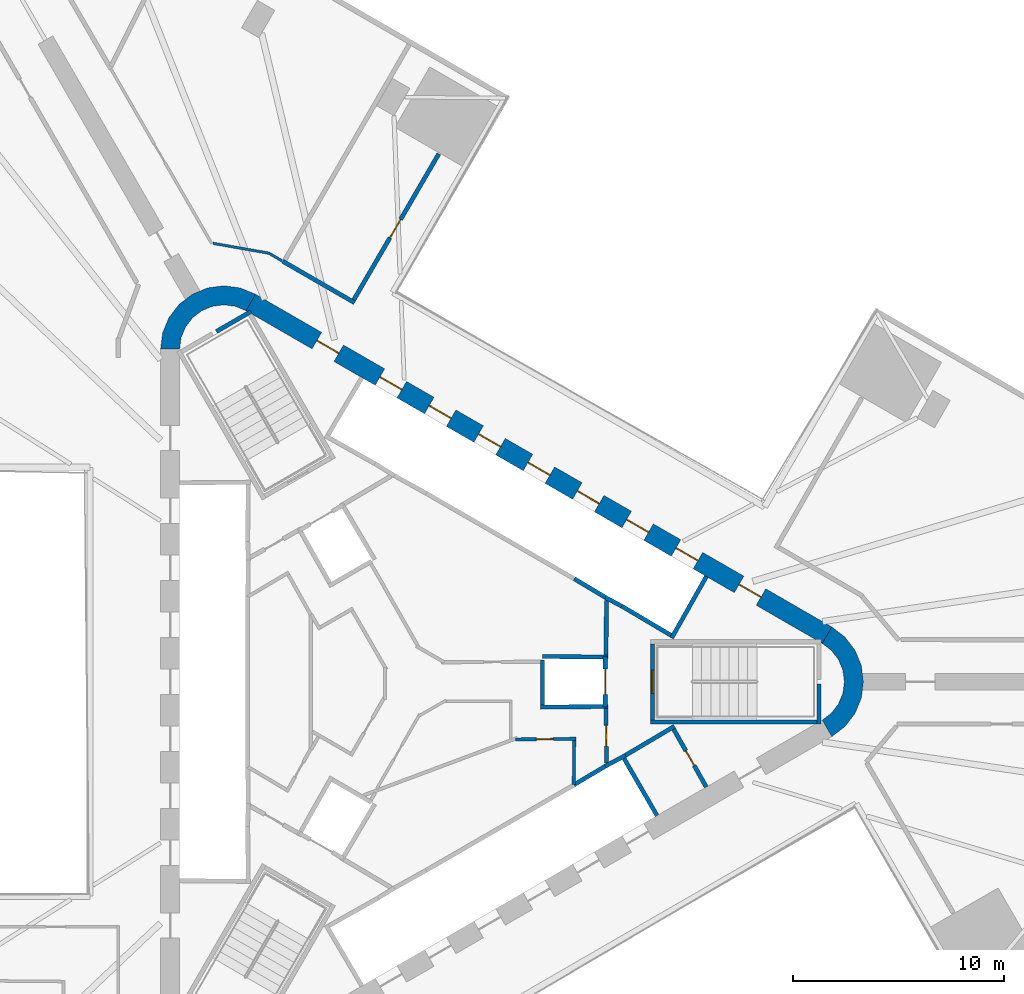
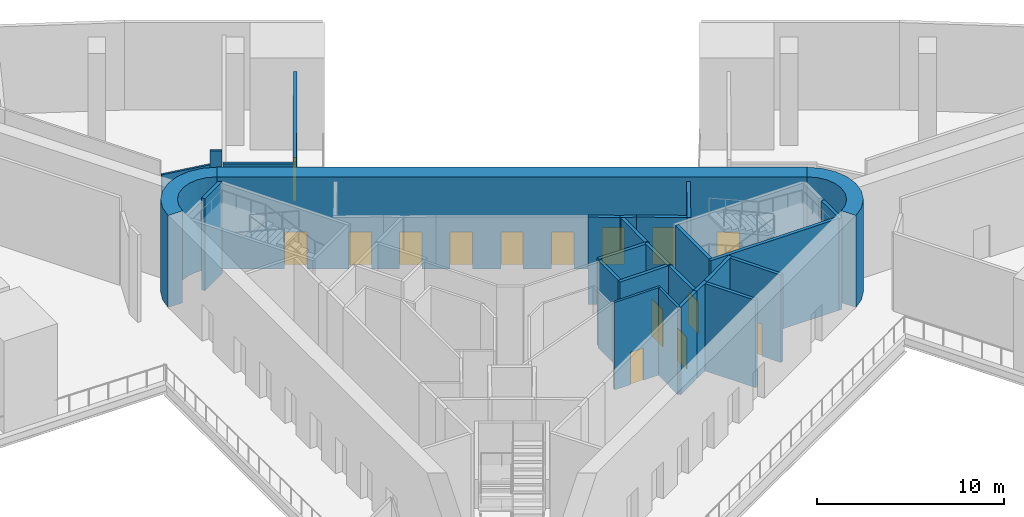
# One storey, part 6 of 11: 28 walls, 15 doors, 15 openings.
"""IFC4 building model written with IfcOpenShell, lengths in metres."""

from ifc_helpers import new_model, si_unit, direction, frame, frame_2d, origin, place, context, subcontext, project, spatial, polyline, rectangle, outline, extrude, material, layer, layer_set, type_object, element, fill, save


model = new_model("IFC4")

# Units and contexts
model_context = context("Model", 3, precision=1e-05, world=origin(), true_north=direction((0.0, 1.0)))
body_context = subcontext(model_context, "Body", "Model", "MODEL_VIEW")
ifc_project = project(units=[si_unit("LENGTHUNIT", "METRE"), si_unit("AREAUNIT", "SQUARE_METRE"), si_unit("VOLUMEUNIT", "CUBIC_METRE"), si_unit("PLANEANGLEUNIT", "RADIAN"), si_unit("MASSUNIT", "GRAM", prefix="KILO")], contexts=[model_context])

# Site, building, storey
site_placement = place(None, origin())
site = spatial("IfcSite", under=ifc_project, at=site_placement, CompositionType="ELEMENT")
building_placement = place(site_placement, origin())
building = spatial("IfcBuilding", under=site, at=building_placement, Name="Tanit Gate Tower", CompositionType="ELEMENT")
storey_placement = place(building_placement, frame((0.0, 0.0, 15.5)))
storey = spatial("IfcBuildingStorey", under=building, at=storey_placement, Name="L02", CompositionType="ELEMENT", Elevation=15.5)

# Wall, openings, doors
ifc_material_1 = material(Name="Concrete C60/75", Category="concrete")
ifc_layer_1 = layer(ifc_material_1, 0.89990234375)
ifc_layer_set_1 = layer_set([ifc_layer_1], Name="CORE WALL 900 C60/75")
wall_type_1 = type_object("IfcWallType", Name="CORE WALL 900 C60/75", PredefinedType="SHEAR", material=ifc_layer_set_1)
wall_1_placement = place(storey_placement, frame((19.47509765625, 2.20849609375, 0.0), z_axis=(0.0, 0.0, 1.0), x_axis=(-0.866028369851, 0.499994862586, 0.0)))
wall_1 = element("IfcWall", 1, at=wall_1_placement, inside=storey, type_object=wall_type_1, Name="CORE WALL", PredefinedType="SHEAR", context=body_context, shape_type="SweptSolid", body=[
    extrude(rectangle(XDim=31.523193359375, YDim=0.89990234375, at=frame_2d((15.76171875, 0.0))), origin(), (0.0, 0.0, 1.0), 6.0),
])
opening_1_placement = place(wall_1_placement, frame((7.0615234375, 0.0, 0.0)))
opening_1 = element("IfcOpeningElement", 2, at=opening_1_placement, cuts=wall_1, Name="Opening LDLL8-02", PredefinedType="OPENING", context=body_context, shape_type="SweptSolid", body=[
    extrude(rectangle(XDim=1.199951171875, YDim=2.39990234375, at=frame_2d((0.60009765625, 1.199951171875))), frame((0.0, 0.4599609375, 0.0), z_axis=(0.0, -1.0, 0.0), x_axis=(1.0, 0.0, 0.0)), (0.0, 0.0, 1.0), 0.919921875),
])
opening_2_placement = place(wall_1_placement, frame((9.76171875, 0.0, 0.0)))
opening_2 = element("IfcOpeningElement", 3, at=opening_2_placement, cuts=wall_1, Name="Opening LDLL9-02", PredefinedType="OPENING", context=body_context, shape_type="SweptSolid", body=[
    extrude(rectangle(XDim=1.199951171875, YDim=2.39990234375, at=frame_2d((0.60009765625, 1.199951171875))), frame((0.0, 0.4599609375, 0.0), z_axis=(0.0, -1.0, 0.0), x_axis=(1.0, 0.0, 0.0)), (0.0, 0.0, 1.0), 0.919921875),
])
opening_3_placement = place(wall_1_placement, frame((12.461669921875, 0.0, 0.0)))
opening_3 = element("IfcOpeningElement", 4, at=opening_3_placement, cuts=wall_1, Name="Opening LDLL10-02", PredefinedType="OPENING", context=body_context, shape_type="SweptSolid", body=[
    extrude(rectangle(XDim=1.199951171875, YDim=2.39990234375, at=frame_2d((0.60009765625, 1.199951171875))), frame((0.0, 0.4599609375, 0.0), z_axis=(0.0, -1.0, 0.0), x_axis=(1.0, 0.0, 0.0)), (0.0, 0.0, 1.0), 0.919921875),
])
opening_4_placement = place(wall_1_placement, frame((15.16162109375, 0.0, 0.0)))
opening_4 = element("IfcOpeningElement", 5, at=opening_4_placement, cuts=wall_1, Name="Opening LDSL1-02", PredefinedType="OPENING", context=body_context, shape_type="SweptSolid", body=[
    extrude(rectangle(XDim=1.199951171875, YDim=2.39990234375, at=frame_2d((0.60009765625, 1.199951171875))), frame((0.0, 0.4599609375, 0.0), z_axis=(0.0, -1.0, 0.0), x_axis=(1.0, 0.0, 0.0)), (0.0, 0.0, 1.0), 0.919921875),
])
opening_5_placement = place(wall_1_placement, frame((17.861572265625, 0.0, 0.0)))
opening_5 = element("IfcOpeningElement", 6, at=opening_5_placement, cuts=wall_1, Name="Opening LDSL2-02", PredefinedType="OPENING", context=body_context, shape_type="SweptSolid", body=[
    extrude(rectangle(XDim=1.199951171875, YDim=2.39990234375, at=frame_2d((0.60009765625, 1.199951171875))), frame((0.0, 0.4599609375, 0.0), z_axis=(0.0, -1.0, 0.0), x_axis=(1.0, 0.0, 0.0)), (0.0, 0.0, 1.0), 0.919921875),
])
opening_6_placement = place(wall_1_placement, frame((20.5615234375, 0.0, 0.0)))
opening_6 = element("IfcOpeningElement", 7, at=opening_6_placement, cuts=wall_1, Name="Opening LDSL3-02", PredefinedType="OPENING", context=body_context, shape_type="SweptSolid", body=[
    extrude(rectangle(XDim=1.199951171875, YDim=2.39990234375, at=frame_2d((0.60009765625, 1.199951171875))), frame((0.0, 0.4599609375, 0.0), z_axis=(0.0, -1.0, 0.0), x_axis=(1.0, 0.0, 0.0)), (0.0, 0.0, 1.0), 0.919921875),
])
opening_7_placement = place(wall_1_placement, frame((23.26171875, 0.0, 0.0)))
opening_7 = element("IfcOpeningElement", 8, at=opening_7_placement, cuts=wall_1, Name="Opening LDSL4-02", PredefinedType="OPENING", context=body_context, shape_type="SweptSolid", body=[
    extrude(rectangle(XDim=1.199951171875, YDim=2.39990234375, at=frame_2d((0.60009765625, 1.199951171875))), frame((0.0, 0.4599609375, 0.0), z_axis=(0.0, -1.0, 0.0), x_axis=(1.0, 0.0, 0.0)), (0.0, 0.0, 1.0), 0.919921875),
])
opening_8_placement = place(wall_1_placement, frame((3.611572265625, 0.0, 0.0)))
opening_8 = element("IfcOpeningElement", 9, at=opening_8_placement, cuts=wall_1, Name="Opening F12-02-FL1", PredefinedType="OPENING", context=body_context, shape_type="SweptSolid", body=[
    extrude(rectangle(XDim=1.199951171875, YDim=2.39990234375, at=frame_2d((0.60009765625, 1.199951171875))), frame((0.0, 0.4599609375, 0.0), z_axis=(0.0, -1.0, 0.0), x_axis=(1.0, 0.0, 0.0)), (0.0, 0.0, 1.0), 0.919921875),
])
opening_9_placement = place(wall_1_placement, frame((26.711669921875, 0.0, 0.0)))
opening_9 = element("IfcOpeningElement", 10, at=opening_9_placement, cuts=wall_1, Name="Opening F12-02-S2", PredefinedType="OPENING", context=body_context, shape_type="SweptSolid", body=[
    extrude(rectangle(XDim=1.199951171875, YDim=2.39990234375, at=frame_2d((0.60009765625, 1.199951171875))), frame((0.0, 0.4599609375, 0.0), z_axis=(0.0, -1.0, 0.0), x_axis=(1.0, 0.0, 0.0)), (0.0, 0.0, 1.0), 0.919921875),
])
ifc_material_2 = material(Name="Fire-rated steel door leaf", Category="steel")
door_type_1 = type_object("IfcDoorType", Name="INT-DOOR-FIRE-LOBBY-1200", OperationType="NOTDEFINED", PredefinedType="USERDEFINED", material=ifc_material_2)
door_1_placement = place(opening_8_placement, origin())
door_1 = element("IfcDoor", 11, at=door_1_placement, inside=storey, type_object=door_type_1, Name="Door F12-02-FL1", ObjectType="FIRE DOOR", OperationType="SINGLE_SWING_LEFT", OverallHeight=2.39990234375, OverallWidth=1.199951171875, PredefinedType="USERDEFINED", context=body_context, shape_type="SweptSolid", body=[
    extrude(rectangle(XDim=1.199951171875, YDim=2.39990234375, at=frame_2d((0.60009765625, 1.199951171875))), frame((0.0, 0.02490234375, 0.0), z_axis=(0.0, -1.0, 0.0), x_axis=(1.0, 0.0, 0.0)), (0.0, 0.0, 1.0), 0.050048828125),
])
fill(opening_8, door_1)
door_2_placement = place(opening_9_placement, origin())
door_2 = element("IfcDoor", 12, at=door_2_placement, inside=storey, type_object=door_type_1, Name="Door F12-02-S2", ObjectType="FIRE DOOR", OperationType="SINGLE_SWING_LEFT", OverallHeight=2.39990234375, OverallWidth=1.199951171875, PredefinedType="USERDEFINED", context=body_context, shape_type="SweptSolid", body=[
    extrude(rectangle(XDim=1.199951171875, YDim=2.39990234375, at=frame_2d((0.60009765625, 1.199951171875))), frame((0.0, 0.02490234375, 0.0), z_axis=(0.0, -1.0, 0.0), x_axis=(1.0, 0.0, 0.0)), (0.0, 0.0, 1.0), 0.050048828125),
])
fill(opening_9, door_2)
ifc_material_3 = material(Name="Stainless steel sliding door leaf", Category="steel")
door_type_2 = type_object("IfcDoorType", Name="INT-DOOR-LANDING-1200", OperationType="NOTDEFINED", PredefinedType="USERDEFINED", material=ifc_material_3)
door_3_placement = place(opening_1_placement, origin())
door_3 = element("IfcDoor", 13, at=door_3_placement, inside=storey, type_object=door_type_2, Name="Door LDLL8-02", ObjectType="LANDING DOOR", OperationType="SLIDING_TO_LEFT", OverallHeight=2.39990234375, OverallWidth=1.199951171875, PredefinedType="USERDEFINED", context=body_context, shape_type="SweptSolid", body=[
    extrude(rectangle(XDim=1.199951171875, YDim=2.39990234375, at=frame_2d((0.60009765625, 1.199951171875))), frame((0.0, 0.02490234375, 0.0), z_axis=(0.0, -1.0, 0.0), x_axis=(1.0, 0.0, 0.0)), (0.0, 0.0, 1.0), 0.050048828125),
])
fill(opening_1, door_3)
door_4_placement = place(opening_2_placement, origin())
door_4 = element("IfcDoor", 14, at=door_4_placement, inside=storey, type_object=door_type_2, Name="Door LDLL9-02", ObjectType="LANDING DOOR", OperationType="SLIDING_TO_LEFT", OverallHeight=2.39990234375, OverallWidth=1.199951171875, PredefinedType="USERDEFINED", context=body_context, shape_type="SweptSolid", body=[
    extrude(rectangle(XDim=1.199951171875, YDim=2.39990234375, at=frame_2d((0.60009765625, 1.199951171875))), frame((0.0, 0.02490234375, 0.0), z_axis=(0.0, -1.0, 0.0), x_axis=(1.0, 0.0, 0.0)), (0.0, 0.0, 1.0), 0.050048828125),
])
fill(opening_2, door_4)
door_5_placement = place(opening_3_placement, origin())
door_5 = element("IfcDoor", 15, at=door_5_placement, inside=storey, type_object=door_type_2, Name="Door LDLL10-02", ObjectType="LANDING DOOR", OperationType="SLIDING_TO_LEFT", OverallHeight=2.39990234375, OverallWidth=1.199951171875, PredefinedType="USERDEFINED", context=body_context, shape_type="SweptSolid", body=[
    extrude(rectangle(XDim=1.199951171875, YDim=2.39990234375, at=frame_2d((0.60009765625, 1.199951171875))), frame((0.0, 0.02490234375, 0.0), z_axis=(0.0, -1.0, 0.0), x_axis=(1.0, 0.0, 0.0)), (0.0, 0.0, 1.0), 0.050048828125),
])
fill(opening_3, door_5)
door_6_placement = place(opening_4_placement, origin())
door_6 = element("IfcDoor", 16, at=door_6_placement, inside=storey, type_object=door_type_2, Name="Door LDSL1-02", ObjectType="LANDING DOOR", OperationType="SLIDING_TO_LEFT", OverallHeight=2.39990234375, OverallWidth=1.199951171875, PredefinedType="USERDEFINED", context=body_context, shape_type="SweptSolid", body=[
    extrude(rectangle(XDim=1.199951171875, YDim=2.39990234375, at=frame_2d((0.60009765625, 1.199951171875))), frame((0.0, 0.02490234375, 0.0), z_axis=(0.0, -1.0, 0.0), x_axis=(1.0, 0.0, 0.0)), (0.0, 0.0, 1.0), 0.050048828125),
])
fill(opening_4, door_6)
door_7_placement = place(opening_5_placement, origin())
door_7 = element("IfcDoor", 17, at=door_7_placement, inside=storey, type_object=door_type_2, Name="Door LDSL2-02", ObjectType="LANDING DOOR", OperationType="SLIDING_TO_LEFT", OverallHeight=2.39990234375, OverallWidth=1.199951171875, PredefinedType="USERDEFINED", context=body_context, shape_type="SweptSolid", body=[
    extrude(rectangle(XDim=1.199951171875, YDim=2.39990234375, at=frame_2d((0.60009765625, 1.199951171875))), frame((0.0, 0.02490234375, 0.0), z_axis=(0.0, -1.0, 0.0), x_axis=(1.0, 0.0, 0.0)), (0.0, 0.0, 1.0), 0.050048828125),
])
fill(opening_5, door_7)
door_8_placement = place(opening_6_placement, origin())
door_8 = element("IfcDoor", 18, at=door_8_placement, inside=storey, type_object=door_type_2, Name="Door LDSL3-02", ObjectType="LANDING DOOR", OperationType="SLIDING_TO_LEFT", OverallHeight=2.39990234375, OverallWidth=1.199951171875, PredefinedType="USERDEFINED", context=body_context, shape_type="SweptSolid", body=[
    extrude(rectangle(XDim=1.199951171875, YDim=2.39990234375, at=frame_2d((0.60009765625, 1.199951171875))), frame((0.0, 0.02490234375, 0.0), z_axis=(0.0, -1.0, 0.0), x_axis=(1.0, 0.0, 0.0)), (0.0, 0.0, 1.0), 0.050048828125),
])
fill(opening_6, door_8)
door_9_placement = place(opening_7_placement, origin())
door_9 = element("IfcDoor", 19, at=door_9_placement, inside=storey, type_object=door_type_2, Name="Door LDSL4-02", ObjectType="LANDING DOOR", OperationType="SLIDING_TO_LEFT", OverallHeight=2.39990234375, OverallWidth=1.199951171875, PredefinedType="USERDEFINED", context=body_context, shape_type="SweptSolid", body=[
    extrude(rectangle(XDim=1.199951171875, YDim=2.39990234375, at=frame_2d((0.60009765625, 1.199951171875))), frame((0.0, 0.02490234375, 0.0), z_axis=(0.0, -1.0, 0.0), x_axis=(1.0, 0.0, 0.0)), (0.0, 0.0, 1.0), 0.050048828125),
])
fill(opening_7, door_9)

# Walls
wall_2_placement = place(storey_placement, origin())
element("IfcWall", 20, at=wall_2_placement, inside=storey, type_object=wall_type_1, Name="CORE WALL CORNER", PredefinedType="SHEAR", context=body_context, shape_type="SweptSolid", body=[
    extrude(outline(polyline([(-7.60009765625, 18.359619140625), (-8.323486328125, 18.659423828125), (-9.10009765625, 18.76171875), (-9.87646484375, 18.659423828125), (-10.60009765625, 18.359619140625), (-11.22119140625, 17.883056640625), (-11.697998046875, 17.26171875), (-11.997802734375, 16.5380859375), (-12.10009765625, 15.76171875), (-11.199951171875, 15.76171875), (-11.12841796875, 16.30517578125), (-10.918701171875, 16.811767578125), (-10.5849609375, 17.24658203125), (-10.14990234375, 17.580322265625), (-9.6435546875, 17.7900390625), (-9.10009765625, 17.86181640625), (-8.556396484375, 17.7900390625), (-8.050048828125, 17.580322265625), (-7.60009765625, 18.359619140625)])), origin(), (0.0, 0.0, 1.0), 6.0),
])
wall_3_placement = place(storey_placement, origin())
element("IfcWall", 21, at=wall_3_placement, inside=storey, type_object=wall_type_1, Name="CORE WALL CORNER", PredefinedType="SHEAR", context=body_context, shape_type="SweptSolid", body=[
    extrude(outline(polyline([(19.699951171875, -2.59814453125), (20.3212890625, -2.121337890625), (20.798095703125, -1.5), (21.097900390625, -0.776611328125), (21.199951171875, 0.0), (21.097900390625, 0.776611328125), (20.798095703125, 1.5), (20.3212890625, 2.121337890625), (19.699951171875, 2.59814453125), (19.25, 1.818603515625), (19.684814453125, 1.48486328125), (20.018798828125, 1.050048828125), (20.228515625, 0.54345703125), (20.300048828125, 0.0), (20.228515625, -0.54345703125), (20.018798828125, -1.050048828125), (19.684814453125, -1.48486328125), (19.25, -1.818603515625), (19.699951171875, -2.59814453125)])), origin(), (0.0, 0.0, 1.0), 6.0),
])
ifc_material_4 = material(Name="Fire-rated gypsum board partition")
ifc_layer_2 = layer(ifc_material_4, 0.199951171875)
ifc_layer_set_2 = layer_set([ifc_layer_2], Name="INT-WALL-COMPARTMENT")
wall_type_2 = type_object("IfcWallType", Name="INT-WALL-COMPARTMENT", PredefinedType="PARTITIONING", material=ifc_layer_set_2)
wall_4_placement = place(storey_placement, frame((12.244873046875, -2.10888671875, 0.0), z_axis=(0.0, 0.0, 1.0), x_axis=(-0.860414880418, -0.509594185166, 0.0)))
element("IfcWall", 22, at=wall_4_placement, inside=storey, type_object=wall_type_2, Name="Wall Compartment W060", PredefinedType="PARTITIONING", context=body_context, shape_type="SweptSolid", body=[
    extrude(rectangle(XDim=2.7001953125, YDim=0.199951171875, at=frame_2d((1.35009765625, 0.0))), origin(), (0.0, 0.0, 1.0), 5.699951171875),
])

# Wall, opening, door
wall_5_placement = place(storey_placement, frame((13.758056640625, -4.989501953125, 0.0), z_axis=(0.0, 0.0, 1.0), x_axis=(-0.491993409184, 0.87059892334, 0.0)))
wall_5 = element("IfcWall", 23, at=wall_5_placement, inside=storey, type_object=wall_type_2, Name="Wall Compartment W061", PredefinedType="PARTITIONING", context=body_context, shape_type="SweptSolid", body=[
    extrude(rectangle(XDim=3.150146484375, YDim=0.199951171875, at=frame_2d((1.5751953125, 0.0))), origin(), (0.0, 0.0, 1.0), 5.699951171875),
])
opening_10_placement = place(wall_5_placement, frame((1.175048828125, 0.0, 0.0)))
opening_10 = element("IfcOpeningElement", 24, at=opening_10_placement, cuts=wall_5, Name="Opening R08-02-15", PredefinedType="OPENING", context=body_context, shape_type="SweptSolid", body=[
    extrude(rectangle(XDim=0.800048828125, YDim=2.10009765625, at=frame_2d((0.39990234375, 1.050048828125))), frame((0.0, 0.10986328125, 0.0), z_axis=(0.0, -1.0, 0.0), x_axis=(1.0, 0.0, 0.0)), (0.0, 0.0, 1.0), 0.219970703125),
])
ifc_material_5 = material(Name="Timber door leaf", Category="wood")
door_type_3 = type_object("IfcDoorType", Name="INT-DOOR-RISER-800", OperationType="NOTDEFINED", PredefinedType="USERDEFINED", material=ifc_material_5)
door_10_placement = place(opening_10_placement, origin())
door_10 = element("IfcDoor", 25, at=door_10_placement, inside=storey, type_object=door_type_3, Name="Door R08-02-15", ObjectType="FIRE DOOR", OperationType="SINGLE_SWING_RIGHT", OverallHeight=2.10009765625, OverallWidth=0.800048828125, PredefinedType="USERDEFINED", context=body_context, shape_type="SweptSolid", body=[
    extrude(rectangle(XDim=0.800048828125, YDim=2.10009765625, at=frame_2d((0.39990234375, 1.050048828125))), frame((0.0, 0.02490234375, 0.0), z_axis=(0.0, -1.0, 0.0), x_axis=(1.0, 0.0, 0.0)), (0.0, 0.0, 1.0), 0.050048828125),
])
fill(opening_10, door_10)

# Wall
wall_6_placement = place(storey_placement, frame((9.0009765625, 1.27001953125, 0.0), z_axis=(0.0, 0.0, 1.0), x_axis=(0.010784614026, 0.999941844359, 0.0)))
element("IfcWall", 26, at=wall_6_placement, inside=storey, type_object=wall_type_2, Name="Wall Compartment W062", PredefinedType="PARTITIONING", context=body_context, shape_type="SweptSolid", body=[
    extrude(rectangle(XDim=2.580810546875, YDim=0.199951171875, at=frame_2d((1.29052734375, 0.0))), origin(), (0.0, 0.0, 1.0), 5.699951171875),
])

# Wall, opening, door
wall_7_placement = place(storey_placement, frame((9.02880859375, -3.850830078125, 0.0), z_axis=(0.0, 0.0, 1.0), x_axis=(-0.010783593937, 0.99994185536, 0.0)))
wall_7 = element("IfcWall", 27, at=wall_7_placement, inside=storey, type_object=wall_type_2, Name="Wall Compartment W063", PredefinedType="PARTITIONING", context=body_context, shape_type="SweptSolid", body=[
    extrude(rectangle(XDim=2.5810546875, YDim=0.199951171875, at=frame_2d((1.29052734375, 0.0))), origin(), (0.0, 0.0, 1.0), 5.699951171875),
])
opening_11_placement = place(wall_7_placement, frame((0.79052734375, 0.0, 0.0)))
opening_11 = element("IfcOpeningElement", 28, at=opening_11_placement, cuts=wall_7, Name="Opening F10-02-02", PredefinedType="OPENING", context=body_context, shape_type="SweptSolid", body=[
    extrude(rectangle(XDim=1.0, YDim=2.10009765625, at=frame_2d((0.5, 1.050048828125))), frame((0.0, 0.10986328125, 0.0), z_axis=(0.0, -1.0, 0.0), x_axis=(1.0, 0.0, 0.0)), (0.0, 0.0, 1.0), 0.219970703125),
])
ifc_material_6 = material(Name="Fire-rated steel door leaf", Category="steel")
door_type_4 = type_object("IfcDoorType", Name="INT-DOOR-FIRE-1000", OperationType="NOTDEFINED", PredefinedType="USERDEFINED", material=ifc_material_6)
door_11_placement = place(opening_11_placement, origin())
door_11 = element("IfcDoor", 29, at=door_11_placement, inside=storey, type_object=door_type_4, Name="Door F10-02-02", ObjectType="FIRE DOOR", OperationType="SINGLE_SWING_RIGHT", OverallHeight=2.10009765625, OverallWidth=1.0, PredefinedType="USERDEFINED", context=body_context, shape_type="SweptSolid", body=[
    extrude(rectangle(XDim=1.0, YDim=2.10009765625, at=frame_2d((0.5, 1.050048828125))), frame((0.0, 0.02490234375, 0.0), z_axis=(0.0, -1.0, 0.0), x_axis=(1.0, 0.0, 0.0)), (0.0, 0.0, 1.0), 0.050048828125),
])
fill(opening_11, door_11)

# Wall
wall_8_placement = place(storey_placement, frame((-2.908935546875, 17.9619140625, 0.0), z_axis=(0.0, 0.0, 1.0), x_axis=(-0.866156637233, 0.499772628079, 0.0)))
element("IfcWall", 30, at=wall_8_placement, inside=storey, type_object=wall_type_2, Name="Wall Compartment W109", PredefinedType="PARTITIONING", context=body_context, shape_type="SweptSolid", body=[
    extrude(rectangle(XDim=3.931396484375, YDim=0.199951171875, at=frame_2d((1.9658203125, 0.0))), origin(), (0.0, 0.0, 1.0), 4.8798828125),
])

# Wall, opening, door
wall_9_placement = place(storey_placement, frame((-2.9453125, 18.098388671875, 0.0), z_axis=(0.0, 0.0, 1.0), x_axis=(0.503235430028, 0.864149351654, 0.0)))
wall_9 = element("IfcWall", 31, at=wall_9_placement, inside=storey, type_object=wall_type_2, Name="Wall Compartment W110", PredefinedType="PARTITIONING", context=body_context, shape_type="SweptSolid", body=[
    extrude(rectangle(XDim=8.00244140625, YDim=0.199951171875, at=frame_2d((4.001220703125, 0.0))), origin(), (0.0, 0.0, 1.0), 5.169921875),
])
opening_12_placement = place(wall_9_placement, frame((3.40234375, 0.0, 0.0)))
opening_12 = element("IfcOpeningElement", 32, at=opening_12_placement, cuts=wall_9, Name="Opening F10-02-20", PredefinedType="OPENING", context=body_context, shape_type="SweptSolid", body=[
    extrude(rectangle(XDim=1.0, YDim=2.10009765625, at=frame_2d((0.5, 1.050048828125))), frame((0.0, 0.10986328125, 0.0), z_axis=(0.0, -1.0, 0.0), x_axis=(1.0, 0.0, 0.0)), (0.0, 0.0, 1.0), 0.219970703125),
])
door_12_placement = place(opening_12_placement, origin())
door_12 = element("IfcDoor", 33, at=door_12_placement, inside=storey, type_object=door_type_4, Name="Door F10-02-20", ObjectType="FIRE DOOR", OperationType="SINGLE_SWING_RIGHT", OverallHeight=2.10009765625, OverallWidth=1.0, PredefinedType="USERDEFINED", context=body_context, shape_type="SweptSolid", body=[
    extrude(rectangle(XDim=1.0, YDim=2.10009765625, at=frame_2d((0.5, 1.050048828125))), frame((0.0, 0.02490234375, 0.0), z_axis=(0.0, -1.0, 0.0), x_axis=(1.0, 0.0, 0.0)), (0.0, 0.0, 1.0), 0.050048828125),
])
fill(opening_12, door_12)

# Walls
ifc_material_7 = material(Name="Gypsum board partition")
ifc_layer_3 = layer(ifc_material_7, 0.1201171875)
ifc_layer_set_3 = layer_set([ifc_layer_3], Name="INT-WALL-PARTITION")
wall_type_3 = type_object("IfcWallType", Name="INT-WALL-PARTITION", PredefinedType="PARTITIONING", material=ifc_layer_set_3)
wall_10_placement = place(storey_placement, frame((-6.9150390625, 20.29736328125, 0.0), z_axis=(0.0, 0.0, 1.0), x_axis=(-0.98477728301, 0.173820893068, 0.0)))
element("IfcWall", 34, at=wall_10_placement, inside=storey, type_object=wall_type_3, Name="Wall Partition W112", PredefinedType="PARTITIONING", context=body_context, shape_type="SweptSolid", body=[
    extrude(rectangle(XDim=2.74169921875, YDim=0.1201171875, at=frame_2d((1.370849609375, 0.0))), origin(), (0.0, 0.0, 1.0), 4.780029296875),
])
wall_11_placement = place(storey_placement, frame((-6.348876953125, 19.94677734375, 0.0), z_axis=(0.0, 0.0, 1.0), x_axis=(-0.865964461276, 0.500105540669, 0.0)))
element("IfcWall", 35, at=wall_11_placement, inside=storey, type_object=wall_type_3, Name="Wall Partition W113", PredefinedType="PARTITIONING", context=body_context, shape_type="SweptSolid", body=[
    extrude(rectangle(XDim=0.661865234375, YDim=0.1201171875, at=frame_2d((0.3310546875, 0.0))), origin(), (0.0, 0.0, 1.0), 5.699951171875),
])

# Wall, opening, door
ifc_material_8 = material(Name="Fire-rated gypsum board partition")
ifc_layer_4 = layer(ifc_material_8, 0.14990234375)
ifc_layer_set_4 = layer_set([ifc_layer_4], Name="INT-WALL-RISER")
wall_type_4 = type_object("IfcWallType", Name="INT-WALL-RISER", PredefinedType="PLUMBINGWALL", material=ifc_layer_set_4)
wall_12_placement = place(storey_placement, frame((7.574951171875, -2.69921875, 0.0), z_axis=(0.0, 0.0, 1.0), x_axis=(-0.999947791603, -0.010218320275, 0.0)))
wall_12 = element("IfcWall", 36, at=wall_12_placement, inside=storey, type_object=wall_type_4, Name="Wall Riser W077", PredefinedType="PLUMBINGWALL", context=body_context, shape_type="SweptSolid", body=[
    extrude(rectangle(XDim=2.8671875, YDim=0.14990234375, at=frame_2d((1.43359375, 0.0))), origin(), (0.0, 0.0, 1.0), 5.699951171875),
])
opening_13_placement = place(wall_12_placement, frame((1.071044921875, 0.0, 0.0)))
opening_13 = element("IfcOpeningElement", 37, at=opening_13_placement, cuts=wall_12, Name="Opening R08-02-12", PredefinedType="OPENING", context=body_context, shape_type="SweptSolid", body=[
    extrude(rectangle(XDim=0.800048828125, YDim=2.10009765625, at=frame_2d((0.39990234375, 1.050048828125))), frame((0.0, 0.0849609375, 0.0), z_axis=(0.0, -1.0, 0.0), x_axis=(1.0, 0.0, 0.0)), (0.0, 0.0, 1.0), 0.169921875),
])
door_13_placement = place(opening_13_placement, origin())
door_13 = element("IfcDoor", 38, at=door_13_placement, inside=storey, type_object=door_type_3, Name="Door R08-02-12", ObjectType="FIRE DOOR", OperationType="SINGLE_SWING_RIGHT", OverallHeight=2.10009765625, OverallWidth=0.800048828125, PredefinedType="USERDEFINED", context=body_context, shape_type="SweptSolid", body=[
    extrude(rectangle(XDim=0.800048828125, YDim=2.10009765625, at=frame_2d((0.39990234375, 1.050048828125))), frame((0.0, 0.02490234375, 0.0), z_axis=(0.0, -1.0, 0.0), x_axis=(1.0, 0.0, 0.0)), (0.0, 0.0, 1.0), 0.050048828125),
])
fill(opening_13, door_13)

# Walls
wall_13_placement = place(storey_placement, frame((7.474609375, -4.864501953125, 0.0), z_axis=(0.0, 0.0, 1.0), x_axis=(0.011682810534, 0.99993175364, 0.0)))
element("IfcWall", 39, at=wall_13_placement, inside=storey, type_object=wall_type_4, Name="Wall Riser W078", PredefinedType="PLUMBINGWALL", context=body_context, shape_type="SweptSolid", body=[
    extrude(rectangle(XDim=2.08984375, YDim=0.14990234375, at=frame_2d((1.044921875, 0.0))), origin(), (0.0, 0.0, 1.0), 5.699951171875),
])
ifc_material_9 = material(Name="Gypsum shaft wall system")
ifc_layer_5 = layer(ifc_material_9, 0.199951171875)
ifc_layer_set_5 = layer_set([ifc_layer_5], Name="INT-WALL-SHAFT")
wall_type_5 = type_object("IfcWallType", Name="INT-WALL-SHAFT", PredefinedType="PLUMBINGWALL", material=ifc_layer_set_5)
wall_14_placement = place(storey_placement, frame((12.10986328125, 2.07275390625, 0.0), z_axis=(0.0, 0.0, 1.0), x_axis=(0.49196600604, 0.870614408852, 0.0)))
element("IfcWall", 40, at=wall_14_placement, inside=storey, type_object=wall_type_5, Name="Wall Shaft W013", PredefinedType="PLUMBINGWALL", context=body_context, shape_type="SweptSolid", body=[
    extrude(rectangle(XDim=3.35009765625, YDim=0.199951171875, at=frame_2d((1.675048828125, 0.0))), origin(), (0.0, 0.0, 1.0), 5.699951171875),
])
wall_15_placement = place(storey_placement, frame((12.072998046875, 2.2109375, 0.0), z_axis=(0.0, 0.0, 1.0), x_axis=(-0.860438357912, 0.509554542943, 0.0)))
element("IfcWall", 41, at=wall_15_placement, inside=storey, type_object=wall_type_5, Name="Wall Shaft W014", PredefinedType="PLUMBINGWALL", context=body_context, shape_type="SweptSolid", body=[
    extrude(rectangle(XDim=2.700439453125, YDim=0.199951171875, at=frame_2d((1.35009765625, 0.0))), origin(), (0.0, 0.0, 1.0), 5.699951171875),
])
wall_16_placement = place(storey_placement, frame((9.74755859375, 3.583251953125, 0.0), z_axis=(0.0, 0.0, 1.0), x_axis=(-0.880917147855, 0.473270513147, 0.0)))
element("IfcWall", 42, at=wall_16_placement, inside=storey, type_object=wall_type_5, Name="Wall Shaft W015", PredefinedType="PLUMBINGWALL", context=body_context, shape_type="SweptSolid", body=[
    extrude(rectangle(XDim=0.8779296875, YDim=0.199951171875, at=frame_2d((0.43896484375, 0.0))), origin(), (0.0, 0.0, 1.0), 5.699951171875),
])
wall_17_placement = place(storey_placement, frame((9.0791015625, 3.93701171875, 0.0), z_axis=(0.0, 0.0, 1.0), x_axis=(-0.857516281273, 0.51445682749, 0.0)))
element("IfcWall", 43, at=wall_17_placement, inside=storey, type_object=wall_type_5, Name="Wall Shaft W016", PredefinedType="PLUMBINGWALL", context=body_context, shape_type="SweptSolid", body=[
    extrude(rectangle(XDim=1.8447265625, YDim=0.199951171875, at=frame_2d((0.92236328125, 0.0))), origin(), (0.0, 0.0, 1.0), 5.699951171875),
])
wall_18_placement = place(storey_placement, frame((9.794677734375, -3.52490234375, 0.0), z_axis=(0.0, 0.0, 1.0), x_axis=(0.499984717929, -0.866034226713, 0.0)))
element("IfcWall", 44, at=wall_18_placement, inside=storey, type_object=wall_type_5, Name="Wall Shaft W024", PredefinedType="PLUMBINGWALL", context=body_context, shape_type="SweptSolid", body=[
    extrude(rectangle(XDim=3.25, YDim=0.199951171875, at=frame_2d((1.625, 0.0))), origin(), (0.0, 0.0, 1.0), 5.699951171875),
])
wall_19_placement = place(storey_placement, frame((8.97412109375, -3.998779296875, 0.0), z_axis=(0.0, 0.0, 1.0), x_axis=(0.880907015104, 0.473289373154, 0.0)))
element("IfcWall", 45, at=wall_19_placement, inside=storey, type_object=wall_type_5, Name="Wall Shaft W025", PredefinedType="PLUMBINGWALL", context=body_context, shape_type="SweptSolid", body=[
    extrude(rectangle(XDim=1.078125, YDim=0.199951171875, at=frame_2d((0.5390625, 0.0))), origin(), (0.0, 0.0, 1.0), 5.699951171875),
])
wall_20_placement = place(storey_placement, frame((7.4931640625, -4.87841796875, 0.0), z_axis=(0.0, 0.0, 1.0), x_axis=(0.859981807212, 0.510324691999, 0.0)))
element("IfcWall", 46, at=wall_20_placement, inside=storey, type_object=wall_type_5, Name="Wall Shaft W026", PredefinedType="PLUMBINGWALL", context=body_context, shape_type="SweptSolid", body=[
    extrude(rectangle(XDim=1.8447265625, YDim=0.199951171875, at=frame_2d((0.92236328125, 0.0))), origin(), (0.0, 0.0, 1.0), 5.699951171875),
])

# Wall, opening, door
wall_21_placement = place(storey_placement, frame((8.969970703125, 1.199951171875, 0.0), z_axis=(0.0, 0.0, 1.0), x_axis=(0.0, -1.0, 0.0)))
wall_21 = element("IfcWall", 47, at=wall_21_placement, inside=storey, type_object=wall_type_5, Name="Wall Shaft W038", PredefinedType="PLUMBINGWALL", context=body_context, shape_type="SweptSolid", body=[
    extrude(rectangle(XDim=2.39990234375, YDim=0.199951171875, at=frame_2d((1.199951171875, 0.0))), origin(), (0.0, 0.0, 1.0), 5.699951171875),
])
opening_14_placement = place(wall_21_placement, frame((0.60009765625, 0.0, 0.0)))
opening_14 = element("IfcOpeningElement", 48, at=opening_14_placement, cuts=wall_21, Name="Opening LDFL1-L02", PredefinedType="OPENING", context=body_context, shape_type="SweptSolid", body=[
    extrude(rectangle(XDim=1.199951171875, YDim=2.39990234375, at=frame_2d((0.60009765625, 1.199951171875))), frame((0.0, 0.10986328125, 0.0), z_axis=(0.0, -1.0, 0.0), x_axis=(1.0, 0.0, 0.0)), (0.0, 0.0, 1.0), 0.219970703125),
])
door_14_placement = place(opening_14_placement, origin())
door_14 = element("IfcDoor", 49, at=door_14_placement, inside=storey, type_object=door_type_2, Name="Door LDFL1-L02", ObjectType="LANDING DOOR", OperationType="SLIDING_TO_LEFT", OverallHeight=2.39990234375, OverallWidth=1.199951171875, PredefinedType="USERDEFINED", context=body_context, shape_type="SweptSolid", body=[
    extrude(rectangle(XDim=1.199951171875, YDim=2.39990234375, at=frame_2d((0.60009765625, 1.199951171875))), frame((0.0, 0.02490234375, 0.0), z_axis=(0.0, -1.0, 0.0), x_axis=(1.0, 0.0, 0.0)), (0.0, 0.0, 1.0), 0.050048828125),
])
fill(opening_14, door_14)

# Walls
wall_22_placement = place(storey_placement, frame((6.0, 1.199951171875, 0.0), z_axis=(0.0, 0.0, 1.0), x_axis=(0.999949988, -0.010001074852, 0.0)))
element("IfcWall", 50, at=wall_22_placement, inside=storey, type_object=wall_type_5, Name="Wall Shaft W039", PredefinedType="PLUMBINGWALL", context=body_context, shape_type="SweptSolid", body=[
    extrude(rectangle(XDim=3.100341796875, YDim=0.199951171875, at=frame_2d((1.55029296875, 0.0))), origin(), (0.0, 0.0, 1.0), 5.699951171875),
])
wall_23_placement = place(storey_placement, frame((5.89990234375, -1.200927734375, 0.0), z_axis=(0.0, 0.0, 1.0), x_axis=(0.999950064753, 0.009993397809, 0.0)))
element("IfcWall", 51, at=wall_23_placement, inside=storey, type_object=wall_type_5, Name="Wall Shaft W040", PredefinedType="PLUMBINGWALL", context=body_context, shape_type="SweptSolid", body=[
    extrude(rectangle(XDim=3.200439453125, YDim=0.199951171875, at=frame_2d((1.60009765625, 0.0))), origin(), (0.0, 0.0, 1.0), 5.699951171875),
])
wall_24_placement = place(storey_placement, frame((6.0, -1.10009765625, 0.0), z_axis=(0.0, 0.0, 1.0), x_axis=(0.0, 1.0, 0.0)))
element("IfcWall", 52, at=wall_24_placement, inside=storey, type_object=wall_type_5, Name="Wall Shaft W041", PredefinedType="PLUMBINGWALL", context=body_context, shape_type="SweptSolid", body=[
    extrude(rectangle(XDim=2.129638671875, YDim=0.199951171875, at=frame_2d((1.06494140625, 0.0))), origin(), (0.0, 0.0, 1.0), 5.699951171875),
])
ifc_material_10 = material(Name="Concrete C40/50", Category="concrete")
ifc_layer_6 = layer(ifc_material_10, 0.199951171875)
ifc_layer_set_6 = layer_set([ifc_layer_6], Name="INT-WALL-STAIR")
wall_type_6 = type_object("IfcWallType", Name="INT-WALL-STAIR", PredefinedType="SHEAR", material=ifc_layer_set_6)
wall_25_placement = place(storey_placement, frame((19.10009765625, -2.0, -0.300048828125), z_axis=(0.0, 0.0, 1.0), x_axis=(0.0, 1.0, 0.0)))
element("IfcWall", 53, at=wall_25_placement, inside=storey, type_object=wall_type_6, Name="Wall Stair W035", PredefinedType="SHEAR", context=body_context, shape_type="SweptSolid", body=[
    extrude(rectangle(XDim=1.889892578125, YDim=0.199951171875, at=frame_2d((0.94482421875, 0.0))), origin(), (0.0, 0.0, 1.0), 6.0),
])
wall_26_placement = place(storey_placement, frame((11.10009765625, -1.89990234375, -0.300048828125), z_axis=(0.0, 0.0, 1.0), x_axis=(1.0, 0.0, 0.0)))
element("IfcWall", 54, at=wall_26_placement, inside=storey, type_object=wall_type_6, Name="Wall Stair W036", PredefinedType="SHEAR", context=body_context, shape_type="SweptSolid", body=[
    extrude(rectangle(XDim=7.89990234375, YDim=0.199951171875, at=frame_2d((3.949951171875, 0.0))), origin(), (0.0, 0.0, 1.0), 6.0),
])

# Wall, opening, door
wall_27_placement = place(storey_placement, frame((11.199951171875, -1.800048828125, -0.300048828125), z_axis=(0.0, 0.0, 1.0), x_axis=(0.0, 1.0, 0.0)))
wall_27 = element("IfcWall", 55, at=wall_27_placement, inside=storey, type_object=wall_type_6, Name="Wall Stair W037", PredefinedType="SHEAR", context=body_context, shape_type="SweptSolid", body=[
    extrude(rectangle(XDim=3.60009765625, YDim=0.199951171875, at=frame_2d((1.800048828125, 0.0))), origin(), (0.0, 0.0, 1.0), 6.0),
])
opening_15_placement = place(wall_27_placement, frame((1.25, 0.0, 0.300048828125)))
opening_15 = element("IfcOpeningElement", 56, at=opening_15_placement, cuts=wall_27, Name="Opening S11-02-01", PredefinedType="OPENING", context=body_context, shape_type="SweptSolid", body=[
    extrude(rectangle(XDim=1.10009765625, YDim=2.10009765625, at=frame_2d((0.550048828125, 1.050048828125))), frame((0.0, 0.10986328125, 0.0), z_axis=(0.0, -1.0, 0.0), x_axis=(1.0, 0.0, 0.0)), (0.0, 0.0, 1.0), 0.219970703125),
])
ifc_material_11 = material(Name="Timber door leaf", Category="wood")
door_type_5 = type_object("IfcDoorType", Name="INT-DOOR-STAIR-1100", OperationType="NOTDEFINED", PredefinedType="USERDEFINED", material=ifc_material_11)
door_15_placement = place(opening_15_placement, origin())
door_15 = element("IfcDoor", 57, at=door_15_placement, inside=storey, type_object=door_type_5, Name="Door S11-02-01", ObjectType="FIRE DOOR", OperationType="SINGLE_SWING_LEFT", OverallHeight=2.10009765625, OverallWidth=1.10009765625, PredefinedType="USERDEFINED", context=body_context, shape_type="SweptSolid", body=[
    extrude(rectangle(XDim=1.10009765625, YDim=2.10009765625, at=frame_2d((0.550048828125, 1.050048828125))), frame((0.0, 0.02490234375, 0.0), z_axis=(0.0, -1.0, 0.0), x_axis=(1.0, 0.0, 0.0)), (0.0, 0.0, 1.0), 0.050048828125),
])
fill(opening_15, door_15)

# Wall
wall_28_placement = place(storey_placement, frame((-7.81787109375, 17.541015625, -0.300048828125), z_axis=(0.0, 0.0, 1.0), x_axis=(-0.866088799389, -0.499890179513, 0.0)))
element("IfcWall", 58, at=wall_28_placement, inside=storey, type_object=wall_type_6, Name="Wall Stair W044", PredefinedType="SHEAR", context=body_context, shape_type="SweptSolid", body=[
    extrude(rectangle(XDim=1.89013671875, YDim=0.199951171875, at=frame_2d((0.945068359375, 0.0))), origin(), (0.0, 0.0, 1.0), 6.0),
])

save(model, "model.ifc")
